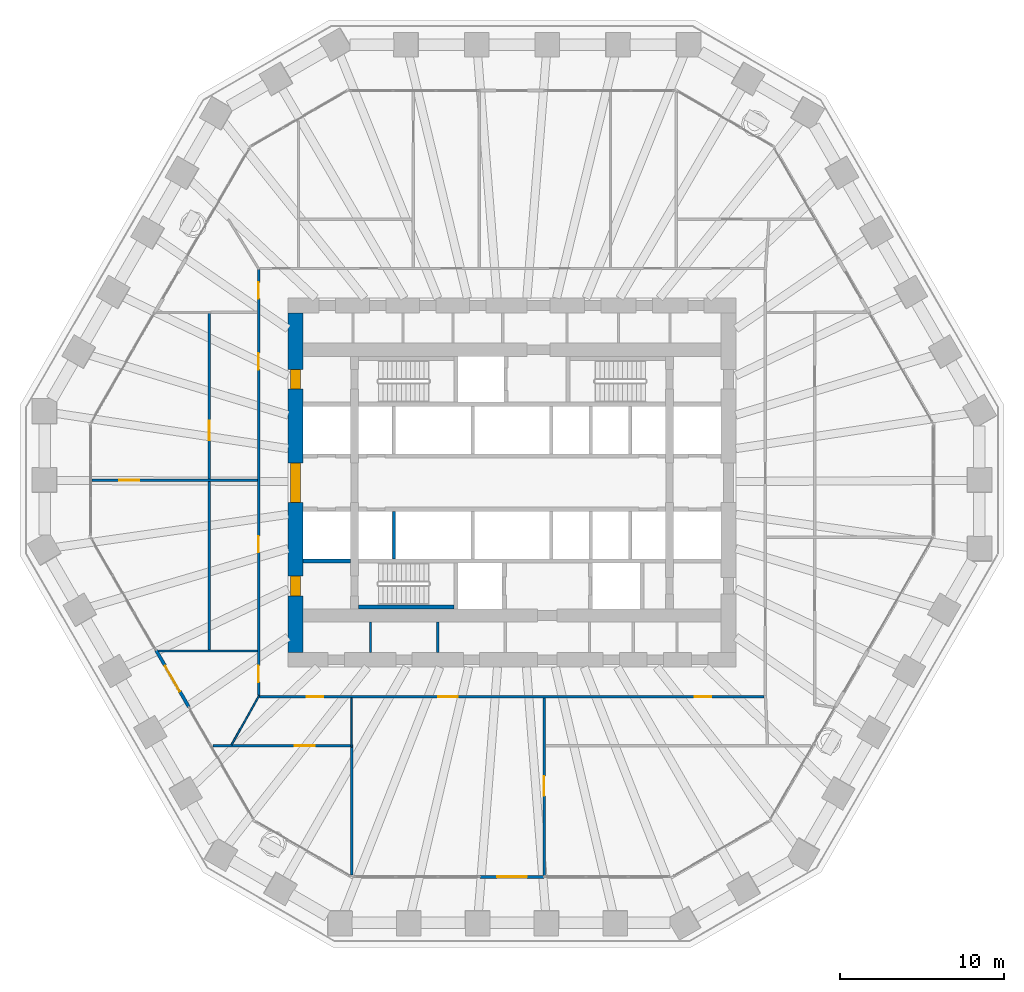
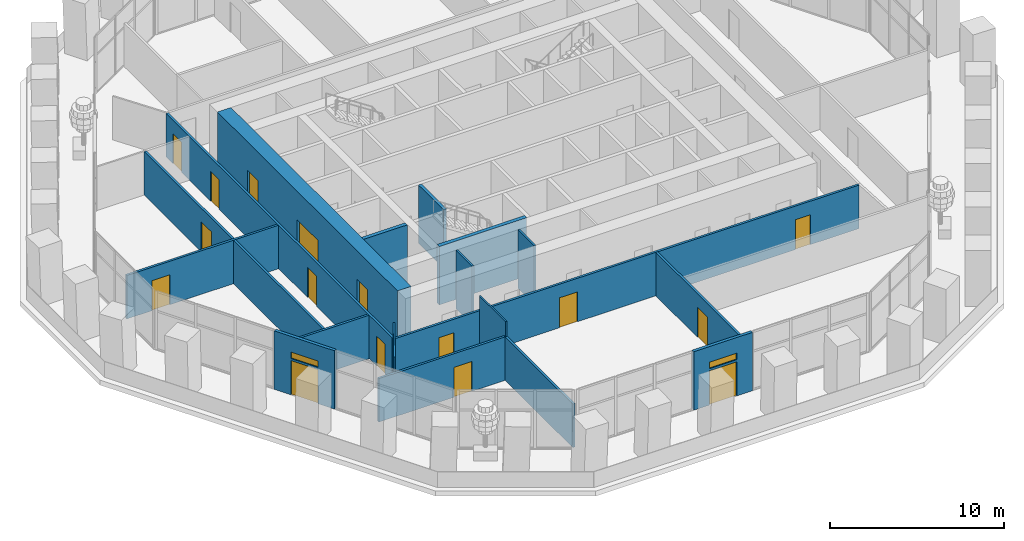
# One storey, part 11 of 18: 18 walls, 16 doors, 2 windows, 18 openings.
"""IFC4 building model written with IfcOpenShell, lengths in metres."""

from ifc_helpers import new_model, si_unit, direction, frame, frame_2d, origin, place, context, subcontext, project, spatial, rectangle, extrude, material, layer, layer_set, type_object, element, fill, save


model = new_model("IFC4")

# Units and contexts
model_context = context("Model", 3, precision=1e-05, world=origin(), true_north=direction((0.0, 1.0)))
body_context = subcontext(model_context, "Body", "Model", "MODEL_VIEW")
ifc_project = project(units=[si_unit("LENGTHUNIT", "METRE"), si_unit("AREAUNIT", "SQUARE_METRE"), si_unit("VOLUMEUNIT", "CUBIC_METRE"), si_unit("PLANEANGLEUNIT", "RADIAN"), si_unit("MASSUNIT", "GRAM", prefix="KILO")], contexts=[model_context])

# Site, building, storey
site_placement = place(None, origin())
site = spatial("IfcSite", under=ifc_project, at=site_placement, CompositionType="ELEMENT")
building_placement = place(site_placement, origin())
building = spatial("IfcBuilding", under=site, at=building_placement, Name="Frailejon Research Tower", CompositionType="ELEMENT")
storey_placement = place(building_placement, frame((0.0, 0.0, 19.0)))
storey = spatial("IfcBuildingStorey", under=building, at=storey_placement, Name="L04", CompositionType="ELEMENT", Elevation=19.0)

# Walls
ifc_material_1 = material(Name="Plasterboard on steel studs", Category="steel")
ifc_layer_1 = layer(ifc_material_1, 0.125)
ifc_layer_set_1 = layer_set([ifc_layer_1], Name="Core partition 125")
wall_type_1 = type_object("IfcWallType", Name="Core partition 125", PredefinedType="PARTITIONING", material=ifc_layer_set_1)
for number, where, z_axis, x_axis, name in (
    (1, (-8.637451171875, -10.35009765625, 0.0), (0.0, 0.0, 1.0), (0.0, 1.0, 0.0), "Core partition"),
    (2, (-4.52490234375, -10.35009765625, 0.0), (0.0, 0.0, 1.0), (0.0, 1.0, 0.0), "Core partition"),
):
    element("IfcWall", number, at=place(storey_placement, frame(where, z_axis=z_axis, x_axis=x_axis)), inside=storey, type_object=wall_type_1, Name=name, PredefinedType="PARTITIONING", context=body_context, shape_type="SweptSolid", body=[
        extrude(rectangle(XDim=1.85009765625, YDim=0.125, at=frame_2d((0.925048828125, 0.0))), origin(), (0.0, 0.0, 1.0), 4.10009765625),
    ])

# Wall, openings, doors
ifc_material_2 = material(Name="Concrete C70/85", Category="concrete")
ifc_layer_2 = layer(ifc_material_2, 0.89990234375)
ifc_layer_set_2 = layer_set([ifc_layer_2], Name="Core shear wall 900 C70/85")
wall_type_2 = type_object("IfcWallType", Name="Core shear wall 900 C70/85", PredefinedType="SHEAR", material=ifc_layer_set_2)
wall_1_placement = place(storey_placement, frame((-13.199951171875, -10.35009765625, 0.0), z_axis=(0.0, 0.0, 1.0), x_axis=(0.0, 1.0, 0.0)))
wall_1 = element("IfcWall", 3, at=wall_1_placement, inside=storey, type_object=wall_type_2, Name="Core shear wall", PredefinedType="SHEAR", context=body_context, shape_type="SweptSolid", body=[
    extrude(rectangle(XDim=20.7001953125, YDim=0.89990234375, at=frame_2d((10.35009765625, 0.0))), origin(), (0.0, 0.0, 1.0), 4.10009765625),
])
opening_1_placement = place(wall_1_placement, frame((9.14990234375, 0.0, 0.0)))
opening_1 = element("IfcOpeningElement", 4, at=opening_1_placement, cuts=wall_1, Name="Opening D2", PredefinedType="OPENING", context=body_context, shape_type="SweptSolid", body=[
    extrude(rectangle(XDim=2.39990234375, YDim=2.10009765625, at=frame_2d((1.199951171875, 1.050048828125))), frame((0.0, 0.4599609375, 0.0), z_axis=(0.0, -1.0, 0.0), x_axis=(1.0, 0.0, 0.0)), (0.0, 0.0, 1.0), 0.919921875),
])
opening_2_placement = place(wall_1_placement, frame((16.050048828125, 0.0, 0.0)))
opening_2 = element("IfcOpeningElement", 5, at=opening_2_placement, cuts=wall_1, Name="Opening D7", PredefinedType="OPENING", context=body_context, shape_type="SweptSolid", body=[
    extrude(rectangle(XDim=1.199951171875, YDim=2.10009765625, at=frame_2d((0.60009765625, 1.050048828125))), frame((0.0, 0.4599609375, 0.0), z_axis=(0.0, -1.0, 0.0), x_axis=(1.0, 0.0, 0.0)), (0.0, 0.0, 1.0), 0.919921875),
])
opening_3_placement = place(wall_1_placement, frame((3.449951171875, 0.0, 0.0)))
opening_3 = element("IfcOpeningElement", 6, at=opening_3_placement, cuts=wall_1, Name="Opening D7", PredefinedType="OPENING", context=body_context, shape_type="SweptSolid", body=[
    extrude(rectangle(XDim=1.199951171875, YDim=2.10009765625, at=frame_2d((0.60009765625, 1.050048828125))), frame((0.0, 0.4599609375, 0.0), z_axis=(0.0, -1.0, 0.0), x_axis=(1.0, 0.0, 0.0)), (0.0, 0.0, 1.0), 0.919921875),
])
ifc_material_3 = material(Name="Steel", Category="steel")
door_type_1 = type_object("IfcDoorType", Name="Lobby double door", OperationType="DOUBLE_DOOR_SINGLE_SWING", PredefinedType="DOOR", material=ifc_material_3)
door_1_placement = place(opening_1_placement, origin())
door_1 = element("IfcDoor", 7, at=door_1_placement, inside=storey, type_object=door_type_1, Name="Lobby door", OperationType="DOUBLE_DOOR_SINGLE_SWING", OverallHeight=2.10009765625, OverallWidth=2.39990234375, PredefinedType="DOOR", context=body_context, shape_type="SweptSolid", body=[
    extrude(rectangle(XDim=2.39990234375, YDim=2.10009765625, at=frame_2d((1.199951171875, 1.050048828125))), frame((0.0, 0.300048828125, 0.0), z_axis=(0.0, -1.0, 0.0), x_axis=(1.0, 0.0, 0.0)), (0.0, 0.0, 1.0), 0.60009765625),
])
fill(opening_1, door_1)
ifc_material_4 = material(Name="Steel", Category="steel")
door_type_2 = type_object("IfcDoorType", Name="Stair exit door", OperationType="SINGLE_SWING_LEFT", PredefinedType="DOOR", material=ifc_material_4)
door_2_placement = place(opening_2_placement, origin())
door_2 = element("IfcDoor", 8, at=door_2_placement, inside=storey, type_object=door_type_2, Name="Stair exit door ST1", OperationType="SINGLE_SWING_LEFT", OverallHeight=2.10009765625, OverallWidth=1.199951171875, PredefinedType="DOOR", context=body_context, shape_type="SweptSolid", body=[
    extrude(rectangle(XDim=1.199951171875, YDim=2.10009765625, at=frame_2d((0.60009765625, 1.050048828125))), frame((0.0, 0.300048828125, 0.0), z_axis=(0.0, -1.0, 0.0), x_axis=(1.0, 0.0, 0.0)), (0.0, 0.0, 1.0), 0.60009765625),
])
fill(opening_2, door_2)
door_3_placement = place(opening_3_placement, origin())
door_3 = element("IfcDoor", 9, at=door_3_placement, inside=storey, type_object=door_type_2, Name="Stair exit door ST2", OperationType="SINGLE_SWING_LEFT", OverallHeight=2.10009765625, OverallWidth=1.199951171875, PredefinedType="DOOR", context=body_context, shape_type="SweptSolid", body=[
    extrude(rectangle(XDim=1.199951171875, YDim=2.10009765625, at=frame_2d((0.60009765625, 1.050048828125))), frame((0.0, 0.300048828125, 0.0), z_axis=(0.0, -1.0, 0.0), x_axis=(1.0, 0.0, 0.0)), (0.0, 0.0, 1.0), 0.60009765625),
])
fill(opening_3, door_3)

ifc_material_5 = material(Name="Gypsum board and masonry partition", Category="masonry")
ifc_layer_3 = layer(ifc_material_5, 0.14990234375)
ifc_layer_set_3 = layer_set([ifc_layer_3], Name="Corridor wall EI 60, gypsum on steel studs 150")
wall_type_3 = type_object("IfcWallType", Name="Corridor wall EI 60, gypsum on steel studs 150", PredefinedType="PARTITIONING", material=ifc_layer_set_3)
wall_2_placement = place(storey_placement, frame((-15.449951171875, -12.97509765625, 0.0), z_axis=(0.0, 0.0, 1.0), x_axis=(0.0, 1.0, 0.0)))
wall_2 = element("IfcWall", 10, at=wall_2_placement, inside=storey, type_object=wall_type_3, Name="T:IW:L04:003", PredefinedType="PARTITIONING", context=body_context, shape_type="SweptSolid", body=[
    extrude(rectangle(XDim=25.97509765625, YDim=0.14990234375, at=frame_2d((12.987548828125, 0.0))), origin(), (0.0, 0.0, 1.0), 3.050048828125),
])
opening_4_placement = place(wall_2_placement, frame((24.18798828125, 0.0, 0.0)))
opening_4 = element("IfcOpeningElement", 11, at=opening_4_placement, cuts=wall_2, Name="Opening D1254", PredefinedType="OPENING", context=body_context, shape_type="SweptSolid", body=[
    extrude(rectangle(XDim=1.0, YDim=2.10009765625, at=frame_2d((0.5, 1.050048828125))), frame((0.0, 0.0849609375, 0.0), z_axis=(0.0, -1.0, 0.0), x_axis=(1.0, 0.0, 0.0)), (0.0, 0.0, 1.0), 0.169921875),
])
opening_5_placement = place(wall_2_placement, frame((19.866455078125, 0.0, 0.0)))
opening_5 = element("IfcOpeningElement", 12, at=opening_5_placement, cuts=wall_2, Name="Opening D1255", PredefinedType="OPENING", context=body_context, shape_type="SweptSolid", body=[
    extrude(rectangle(XDim=1.0, YDim=2.10009765625, at=frame_2d((0.5, 1.050048828125))), frame((0.0, 0.0849609375, 0.0), z_axis=(0.0, -1.0, 0.0), x_axis=(1.0, 0.0, 0.0)), (0.0, 0.0, 1.0), 0.169921875),
])
opening_6_placement = place(wall_2_placement, frame((8.717041015625, 0.0, 0.0)))
opening_6 = element("IfcOpeningElement", 13, at=opening_6_placement, cuts=wall_2, Name="Opening D1258", PredefinedType="OPENING", context=body_context, shape_type="SweptSolid", body=[
    extrude(rectangle(XDim=1.0, YDim=2.10009765625, at=frame_2d((0.5, 1.050048828125))), frame((0.0, 0.0849609375, 0.0), z_axis=(0.0, -1.0, 0.0), x_axis=(1.0, 0.0, 0.0)), (0.0, 0.0, 1.0), 0.169921875),
])
opening_7_placement = place(wall_2_placement, frame((0.8173828125, 0.0, 0.0)))
opening_7 = element("IfcOpeningElement", 14, at=opening_7_placement, cuts=wall_2, Name="Opening D1259", PredefinedType="OPENING", context=body_context, shape_type="SweptSolid", body=[
    extrude(rectangle(XDim=1.0, YDim=2.10009765625, at=frame_2d((0.5, 1.050048828125))), frame((0.0, 0.0849609375, 0.0), z_axis=(0.0, -1.0, 0.0), x_axis=(1.0, 0.0, 0.0)), (0.0, 0.0, 1.0), 0.169921875),
])
ifc_material_6 = material(Name="Timber door leaf", Category="wood")
door_type_3 = type_object("IfcDoorType", Name="Door laboratory, timber, vision panel 1000", OperationType="NOTDEFINED", PredefinedType="DOOR", material=ifc_material_6)
door_4_placement = place(opening_5_placement, origin())
door_4 = element("IfcDoor", 15, at=door_4_placement, inside=storey, type_object=door_type_3, Name="D1255", OperationType="SINGLE_SWING_LEFT", OverallHeight=2.10009765625, OverallWidth=1.0, PredefinedType="DOOR", context=body_context, shape_type="SweptSolid", body=[
    extrude(rectangle(XDim=1.0, YDim=2.10009765625, at=frame_2d((0.5, 1.050048828125))), frame((0.0, 0.02490234375, 0.0), z_axis=(0.0, -1.0, 0.0), x_axis=(1.0, 0.0, 0.0)), (0.0, 0.0, 1.0), 0.050048828125),
])
fill(opening_5, door_4)
door_5_placement = place(opening_6_placement, origin())
door_5 = element("IfcDoor", 16, at=door_5_placement, inside=storey, type_object=door_type_3, Name="D1258", OperationType="SINGLE_SWING_RIGHT", OverallHeight=2.10009765625, OverallWidth=1.0, PredefinedType="DOOR", context=body_context, shape_type="SweptSolid", body=[
    extrude(rectangle(XDim=1.0, YDim=2.10009765625, at=frame_2d((0.5, 1.050048828125))), frame((0.0, 0.02490234375, 0.0), z_axis=(0.0, -1.0, 0.0), x_axis=(1.0, 0.0, 0.0)), (0.0, 0.0, 1.0), 0.050048828125),
])
fill(opening_6, door_5)
ifc_material_7 = material(Name="Timber door leaf", Category="wood")
door_type_4 = type_object("IfcDoorType", Name="Door single leaf, timber, steel frame 1000", OperationType="NOTDEFINED", PredefinedType="DOOR", material=ifc_material_7)
door_6_placement = place(opening_4_placement, origin())
door_6 = element("IfcDoor", 17, at=door_6_placement, inside=storey, type_object=door_type_4, Name="D1254", OperationType="SINGLE_SWING_LEFT", OverallHeight=2.10009765625, OverallWidth=1.0, PredefinedType="DOOR", context=body_context, shape_type="SweptSolid", body=[
    extrude(rectangle(XDim=1.0, YDim=2.10009765625, at=frame_2d((0.5, 1.050048828125))), frame((0.0, 0.02490234375, 0.0), z_axis=(0.0, -1.0, 0.0), x_axis=(1.0, 0.0, 0.0)), (0.0, 0.0, 1.0), 0.050048828125),
])
fill(opening_4, door_6)
door_7_placement = place(opening_7_placement, origin())
door_7 = element("IfcDoor", 18, at=door_7_placement, inside=storey, type_object=door_type_4, Name="D1259", OperationType="SINGLE_SWING_RIGHT", OverallHeight=2.10009765625, OverallWidth=1.0, PredefinedType="DOOR", context=body_context, shape_type="SweptSolid", body=[
    extrude(rectangle(XDim=1.0, YDim=2.10009765625, at=frame_2d((0.5, 1.050048828125))), frame((0.0, 0.02490234375, 0.0), z_axis=(0.0, -1.0, 0.0), x_axis=(1.0, 0.0, 0.0)), (0.0, 0.0, 1.0), 0.050048828125),
])
fill(opening_7, door_7)

wall_3_placement = place(storey_placement, frame((-15.39990234375, -13.050048828125, 0.0), z_axis=(0.0, 0.0, 1.0), x_axis=(1.0, 0.0, 0.0)))
wall_3 = element("IfcWall", 19, at=wall_3_placement, inside=storey, type_object=wall_type_3, Name="T:IW:L04:004", PredefinedType="PARTITIONING", context=body_context, shape_type="SweptSolid", body=[
    extrude(rectangle(XDim=30.77490234375, YDim=0.14990234375, at=frame_2d((15.387451171875, 0.0))), origin(), (0.0, 0.0, 1.0), 3.050048828125),
])
opening_8_placement = place(wall_3_placement, frame((2.8828125, 0.0, 0.0)))
opening_8 = element("IfcOpeningElement", 20, at=opening_8_placement, cuts=wall_3, Name="Opening D1260", PredefinedType="OPENING", context=body_context, shape_type="SweptSolid", body=[
    extrude(rectangle(XDim=1.0, YDim=2.10009765625, at=frame_2d((0.5, 1.050048828125))), frame((0.0, 0.0849609375, 0.0), z_axis=(0.0, -1.0, 0.0), x_axis=(1.0, 0.0, 0.0)), (0.0, 0.0, 1.0), 0.169921875),
])
opening_9_placement = place(wall_3_placement, frame((10.889404296875, 0.0, 0.0)))
opening_9 = element("IfcOpeningElement", 21, at=opening_9_placement, cuts=wall_3, Name="Opening D1262", PredefinedType="OPENING", context=body_context, shape_type="SweptSolid", body=[
    extrude(rectangle(XDim=1.199951171875, YDim=2.10009765625, at=frame_2d((0.60009765625, 1.050048828125))), frame((0.0, 0.0849609375, 0.0), z_axis=(0.0, -1.0, 0.0), x_axis=(1.0, 0.0, 0.0)), (0.0, 0.0, 1.0), 0.169921875),
])
opening_10_placement = place(wall_3_placement, frame((26.55126953125, 0.0, 0.0)))
opening_10 = element("IfcOpeningElement", 22, at=opening_10_placement, cuts=wall_3, Name="Opening D1264", PredefinedType="OPENING", context=body_context, shape_type="SweptSolid", body=[
    extrude(rectangle(XDim=1.0, YDim=2.10009765625, at=frame_2d((0.5, 1.050048828125))), frame((0.0, 0.0849609375, 0.0), z_axis=(0.0, -1.0, 0.0), x_axis=(1.0, 0.0, 0.0)), (0.0, 0.0, 1.0), 0.169921875),
])
door_8_placement = place(opening_10_placement, origin())
door_8 = element("IfcDoor", 23, at=door_8_placement, inside=storey, type_object=door_type_3, Name="D1264", OperationType="SINGLE_SWING_RIGHT", OverallHeight=2.10009765625, OverallWidth=1.0, PredefinedType="DOOR", context=body_context, shape_type="SweptSolid", body=[
    extrude(rectangle(XDim=1.0, YDim=2.10009765625, at=frame_2d((0.5, 1.050048828125))), frame((0.0, 0.02490234375, 0.0), z_axis=(0.0, -1.0, 0.0), x_axis=(1.0, 0.0, 0.0)), (0.0, 0.0, 1.0), 0.050048828125),
])
fill(opening_10, door_8)
door_9_placement = place(opening_8_placement, origin())
door_9 = element("IfcDoor", 24, at=door_9_placement, inside=storey, type_object=door_type_4, Name="D1260", OperationType="SINGLE_SWING_LEFT", OverallHeight=2.10009765625, OverallWidth=1.0, PredefinedType="DOOR", context=body_context, shape_type="SweptSolid", body=[
    extrude(rectangle(XDim=1.0, YDim=2.10009765625, at=frame_2d((0.5, 1.050048828125))), frame((0.0, 0.02490234375, 0.0), z_axis=(0.0, -1.0, 0.0), x_axis=(1.0, 0.0, 0.0)), (0.0, 0.0, 1.0), 0.050048828125),
])
fill(opening_8, door_9)
ifc_material_8 = material(Name="Timber door leaf", Category="wood")
door_type_5 = type_object("IfcDoorType", Name="Door single leaf, timber, steel frame 1200", OperationType="NOTDEFINED", PredefinedType="DOOR", material=ifc_material_8)
door_10_placement = place(opening_9_placement, origin())
door_10 = element("IfcDoor", 25, at=door_10_placement, inside=storey, type_object=door_type_5, Name="D1262", OperationType="DOUBLE_DOOR_SINGLE_SWING", OverallHeight=2.10009765625, OverallWidth=1.199951171875, PredefinedType="DOOR", context=body_context, shape_type="SweptSolid", body=[
    extrude(rectangle(XDim=1.199951171875, YDim=2.10009765625, at=frame_2d((0.60009765625, 1.050048828125))), frame((0.0, 0.02490234375, 0.0), z_axis=(0.0, -1.0, 0.0), x_axis=(1.0, 0.0, 0.0)), (0.0, 0.0, 1.0), 0.050048828125),
])
fill(opening_9, door_10)

# Wall, opening, door
ifc_material_9 = material(Name="Gypsum board and masonry partition", Category="masonry")
ifc_layer_4 = layer(ifc_material_9, 0.14990234375)
ifc_layer_set_4 = layer_set([ifc_layer_4], Name="Laboratory partition, blockwork 150")
wall_type_4 = type_object("IfcWallType", Name="Laboratory partition, blockwork 150", PredefinedType="PARTITIONING", material=ifc_layer_set_4)
wall_4_placement = place(storey_placement, frame((-18.449951171875, -10.190185546875, 0.0), z_axis=(0.0, 0.0, 1.0), x_axis=(0.0, 1.0, 0.0)))
wall_4 = element("IfcWall", 26, at=wall_4_placement, inside=storey, type_object=wall_type_4, Name="T:IW:L04:016", PredefinedType="PARTITIONING", context=body_context, shape_type="SweptSolid", body=[
    extrude(rectangle(XDim=20.515869140625, YDim=0.14990234375, at=frame_2d((10.2578125, 0.0))), origin(), (0.0, 0.0, 1.0), 3.050048828125),
])
opening_11_placement = place(wall_4_placement, frame((12.7626953125, 0.0, 0.0)))
opening_11 = element("IfcOpeningElement", 27, at=opening_11_placement, cuts=wall_4, Name="Opening D1256", PredefinedType="OPENING", context=body_context, shape_type="SweptSolid", body=[
    extrude(rectangle(XDim=1.199951171875, YDim=2.10009765625, at=frame_2d((0.60009765625, 1.050048828125))), frame((0.0, 0.0849609375, 0.0), z_axis=(0.0, -1.0, 0.0), x_axis=(1.0, 0.0, 0.0)), (0.0, 0.0, 1.0), 0.169921875),
])
door_11_placement = place(opening_11_placement, origin())
door_11 = element("IfcDoor", 28, at=door_11_placement, inside=storey, type_object=door_type_5, Name="D1256", OperationType="DOUBLE_DOOR_SINGLE_SWING", OverallHeight=2.10009765625, OverallWidth=1.199951171875, PredefinedType="DOOR", context=body_context, shape_type="SweptSolid", body=[
    extrude(rectangle(XDim=1.199951171875, YDim=2.10009765625, at=frame_2d((0.60009765625, 1.050048828125))), frame((0.0, 0.02490234375, 0.0), z_axis=(0.0, -1.0, 0.0), x_axis=(1.0, 0.0, 0.0)), (0.0, 0.0, 1.0), 0.050048828125),
])
fill(opening_11, door_11)

wall_5_placement = place(storey_placement, frame((-25.592529296875, 0.13818359375, 0.0), z_axis=(0.0, 0.0, 1.0), x_axis=(1.0, 0.0, 0.0)))
wall_5 = element("IfcWall", 29, at=wall_5_placement, inside=storey, type_object=wall_type_4, Name="T:IW:L04:017", PredefinedType="PARTITIONING", context=body_context, shape_type="SweptSolid", body=[
    extrude(rectangle(XDim=10.067626953125, YDim=0.14990234375, at=frame_2d((5.03369140625, 0.0))), origin(), (0.0, 0.0, 1.0), 3.050048828125),
])
opening_12_placement = place(wall_5_placement, frame((1.66064453125, 0.0, 0.0)))
opening_12 = element("IfcOpeningElement", 30, at=opening_12_placement, cuts=wall_5, Name="Opening D1257", PredefinedType="OPENING", context=body_context, shape_type="SweptSolid", body=[
    extrude(rectangle(XDim=1.199951171875, YDim=2.10009765625, at=frame_2d((0.60009765625, 1.050048828125))), frame((0.0, 0.0849609375, 0.0), z_axis=(0.0, -1.0, 0.0), x_axis=(1.0, 0.0, 0.0)), (0.0, 0.0, 1.0), 0.169921875),
])
ifc_material_10 = material(Name="Timber door leaf", Category="wood")
door_type_6 = type_object("IfcDoorType", Name="Door laboratory, timber, vision panel 1200", OperationType="NOTDEFINED", PredefinedType="DOOR", material=ifc_material_10)
door_12_placement = place(opening_12_placement, origin())
door_12 = element("IfcDoor", 31, at=door_12_placement, inside=storey, type_object=door_type_6, Name="D1257", OperationType="DOUBLE_DOOR_SINGLE_SWING", OverallHeight=2.10009765625, OverallWidth=1.199951171875, PredefinedType="DOOR", context=body_context, shape_type="SweptSolid", body=[
    extrude(rectangle(XDim=1.199951171875, YDim=2.10009765625, at=frame_2d((0.60009765625, 1.050048828125))), frame((0.0, 0.02490234375, 0.0), z_axis=(0.0, -1.0, 0.0), x_axis=(1.0, 0.0, 0.0)), (0.0, 0.0, 1.0), 0.050048828125),
])
fill(opening_12, door_12)

# Wall
wall_6_placement = place(storey_placement, frame((-21.555419921875, -10.26513671875, 0.0), z_axis=(0.0, 0.0, 1.0), x_axis=(1.0, 0.0, 0.0)))
element("IfcWall", 32, at=wall_6_placement, inside=storey, type_object=wall_type_4, Name="T:IW:L04:018", PredefinedType="PARTITIONING", context=body_context, shape_type="SweptSolid", body=[
    extrude(rectangle(XDim=6.030517578125, YDim=0.14990234375, at=frame_2d((3.01513671875, 0.0))), origin(), (0.0, 0.0, 1.0), 3.050048828125),
])

# Wall, opening, door
wall_7_placement = place(storey_placement, frame((-18.21533203125, -16.050048828125, 0.0), z_axis=(0.0, 0.0, 1.0), x_axis=(1.0, 0.0, 0.0)))
wall_7 = element("IfcWall", 33, at=wall_7_placement, inside=storey, type_object=wall_type_4, Name="T:IW:L04:019", PredefinedType="PARTITIONING", context=body_context, shape_type="SweptSolid", body=[
    extrude(rectangle(XDim=8.36376953125, YDim=0.14990234375, at=frame_2d((4.181884765625, 0.0))), origin(), (0.0, 0.0, 1.0), 3.050048828125),
])
opening_13_placement = place(wall_7_placement, frame((4.979248046875, 0.0, 0.0)))
opening_13 = element("IfcOpeningElement", 34, at=opening_13_placement, cuts=wall_7, Name="Opening D1261", PredefinedType="OPENING", context=body_context, shape_type="SweptSolid", body=[
    extrude(rectangle(XDim=1.199951171875, YDim=2.10009765625, at=frame_2d((0.60009765625, 1.050048828125))), frame((0.0, 0.0849609375, 0.0), z_axis=(0.0, -1.0, 0.0), x_axis=(1.0, 0.0, 0.0)), (0.0, 0.0, 1.0), 0.169921875),
])
door_13_placement = place(opening_13_placement, origin())
door_13 = element("IfcDoor", 35, at=door_13_placement, inside=storey, type_object=door_type_6, Name="D1261", OperationType="DOUBLE_DOOR_SINGLE_SWING", OverallHeight=2.10009765625, OverallWidth=1.199951171875, PredefinedType="DOOR", context=body_context, shape_type="SweptSolid", body=[
    extrude(rectangle(XDim=1.199951171875, YDim=2.10009765625, at=frame_2d((0.60009765625, 1.050048828125))), frame((0.0, 0.02490234375, 0.0), z_axis=(0.0, -1.0, 0.0), x_axis=(1.0, 0.0, 0.0)), (0.0, 0.0, 1.0), 0.050048828125),
])
fill(opening_13, door_13)

# Wall
wall_8_placement = place(storey_placement, frame((-9.776611328125, -23.9072265625, 0.0), z_axis=(0.0, 0.0, 1.0), x_axis=(0.0, 1.0, 0.0)))
element("IfcWall", 36, at=wall_8_placement, inside=storey, type_object=wall_type_4, Name="T:IW:L04:021", PredefinedType="PARTITIONING", context=body_context, shape_type="SweptSolid", body=[
    extrude(rectangle(XDim=7.93212890625, YDim=0.14990234375, at=frame_2d((3.966064453125, 0.0))), origin(), (0.0, 0.0, 1.0), 3.050048828125),
])

# Wall, opening, door
wall_9_placement = place(storey_placement, frame((1.955322265625, -23.938232421875, 0.0), z_axis=(0.0, 0.0, 1.0), x_axis=(0.0, 1.0, 0.0)))
wall_9 = element("IfcWall", 37, at=wall_9_placement, inside=storey, type_object=wall_type_4, Name="T:IW:L04:022", PredefinedType="PARTITIONING", context=body_context, shape_type="SweptSolid", body=[
    extrude(rectangle(XDim=10.813232421875, YDim=0.14990234375, at=frame_2d((5.40673828125, 0.0))), origin(), (0.0, 0.0, 1.0), 3.050048828125),
])
opening_14_placement = place(wall_9_placement, frame((4.84130859375, 0.0, 0.0)))
opening_14 = element("IfcOpeningElement", 38, at=opening_14_placement, cuts=wall_9, Name="Opening D1263", PredefinedType="OPENING", context=body_context, shape_type="SweptSolid", body=[
    extrude(rectangle(XDim=1.199951171875, YDim=2.10009765625, at=frame_2d((0.60009765625, 1.050048828125))), frame((0.0, 0.0849609375, 0.0), z_axis=(0.0, -1.0, 0.0), x_axis=(1.0, 0.0, 0.0)), (0.0, 0.0, 1.0), 0.169921875),
])
door_14_placement = place(opening_14_placement, origin())
door_14 = element("IfcDoor", 39, at=door_14_placement, inside=storey, type_object=door_type_6, Name="D1263", OperationType="DOUBLE_DOOR_SINGLE_SWING", OverallHeight=2.10009765625, OverallWidth=1.199951171875, PredefinedType="DOOR", context=body_context, shape_type="SweptSolid", body=[
    extrude(rectangle(XDim=1.199951171875, YDim=2.10009765625, at=frame_2d((0.60009765625, 1.050048828125))), frame((0.0, 0.02490234375, 0.0), z_axis=(0.0, -1.0, 0.0), x_axis=(1.0, 0.0, 0.0)), (0.0, 0.0, 1.0), 0.050048828125),
])
fill(opening_14, door_14)

# Walls
ifc_material_11 = material(Name="Gypsum board and masonry partition", Category="masonry")
ifc_layer_5 = layer(ifc_material_11, 0.10009765625)
ifc_layer_set_5 = layer_set([ifc_layer_5], Name="Partition, gypsum on steel studs 100")
wall_type_5 = type_object("IfcWallType", Name="Partition, gypsum on steel studs 100", PredefinedType="PARTITIONING", material=ifc_layer_set_5)
wall_10_placement = place(storey_placement, frame((-17.095703125, -15.984619140625, 0.0), z_axis=(0.0, 0.0, 1.0), x_axis=(0.489128503539, 0.87221173291, 0.0)))
element("IfcWall", 40, at=wall_10_placement, inside=storey, type_object=wall_type_5, Name="T:IW:L04:030", PredefinedType="PARTITIONING", context=body_context, shape_type="SweptSolid", body=[
    extrude(rectangle(XDim=3.439453125, YDim=0.10009765625, at=frame_2d((1.7197265625, 0.0))), origin(), (0.0, 0.0, 1.0), 4.10009765625),
])
wall_11_placement = place(storey_placement, frame((-9.776611328125, -16.125, 0.0), z_axis=(0.0, 0.0, 1.0), x_axis=(0.0, 1.0, 0.0)))
element("IfcWall", 41, at=wall_11_placement, inside=storey, type_object=wall_type_5, Name="T:IW:L04:031", PredefinedType="PARTITIONING", context=body_context, shape_type="SweptSolid", body=[
    extrude(rectangle(XDim=3.0, YDim=0.10009765625, at=frame_2d((1.5, 0.0))), origin(), (0.0, 0.0, 1.0), 4.10009765625),
])
ifc_material_12 = material(Name="Concrete C70/85", Category="concrete")
ifc_layer_6 = layer(ifc_material_12, 0.199951171875)
ifc_layer_set_6 = layer_set([ifc_layer_6], Name="Shaft wall 200 C70/85")
wall_type_6 = type_object("IfcWallType", Name="Shaft wall 200 C70/85", PredefinedType="SOLIDWALL", material=ifc_layer_set_6)
wall_12_placement = place(storey_placement, frame((-7.199951171875, -4.64990234375, 0.0), z_axis=(0.0, 0.0, 1.0), x_axis=(0.0, 1.0, 0.0)))
element("IfcWall", 42, at=wall_12_placement, inside=storey, type_object=wall_type_6, Name="Shaft wall", PredefinedType="SOLIDWALL", context=body_context, shape_type="SweptSolid", body=[
    extrude(rectangle(XDim=2.89990234375, YDim=0.199951171875, at=frame_2d((1.449951171875, 0.0))), origin(), (0.0, 0.0, 1.0), 4.10009765625),
])
ifc_material_13 = material(Name="Concrete C70/85", Category="concrete")
ifc_layer_7 = layer(ifc_material_13, 0.25)
ifc_layer_set_7 = layer_set([ifc_layer_7], Name="Shaft wall 250 C70/85")
wall_type_7 = type_object("IfcWallType", Name="Shaft wall 250 C70/85", PredefinedType="SOLIDWALL", material=ifc_layer_set_7)
wall_13_placement = place(storey_placement, frame((-12.75, -4.77490234375, 0.0), z_axis=(0.0, 0.0, 1.0), x_axis=(1.0, 0.0, 0.0)))
element("IfcWall", 43, at=wall_13_placement, inside=storey, type_object=wall_type_7, Name="Shaft wall", PredefinedType="SOLIDWALL", context=body_context, shape_type="SweptSolid", body=[
    extrude(rectangle(XDim=2.89990234375, YDim=0.25, at=frame_2d((1.449951171875, 0.0))), origin(), (0.0, 0.0, 1.0), 4.10009765625),
])
wall_14_placement = place(storey_placement, frame((-9.35009765625, -7.574951171875, 0.0), z_axis=(0.0, 0.0, 1.0), x_axis=(1.0, 0.0, 0.0)))
element("IfcWall", 44, at=wall_14_placement, inside=storey, type_object=wall_type_7, Name="Shaft wall", PredefinedType="SOLIDWALL", context=body_context, shape_type="SweptSolid", body=[
    extrude(rectangle(XDim=5.800048828125, YDim=0.25, at=frame_2d((2.89990234375, 0.0))), origin(), (0.0, 0.0, 1.0), 4.10009765625),
])

# Wall, openings, door, window
ifc_material_14 = material(Name="Concrete C40/50 precast window wall panel", Category="concrete")
ifc_layer_8 = layer(ifc_material_14, 0.199951171875)
ifc_layer_set_8 = layer_set([ifc_layer_8], Name="Window wall 200")
wall_type_8 = type_object("IfcWallType", Name="Window wall 200", PredefinedType="SOLIDWALL", material=ifc_layer_set_8)
wall_15_placement = place(storey_placement, frame((-21.697021484375, -10.2197265625, 0.0), z_axis=(0.0, 0.0, 1.0), x_axis=(0.499983378401, -0.866035000056, 0.0)))
wall_15 = element("IfcWall", 45, at=wall_15_placement, inside=storey, type_object=wall_type_8, Name="Door pier L04", PredefinedType="SOLIDWALL", context=body_context, shape_type="SweptSolid", body=[
    extrude(rectangle(XDim=3.995849609375, YDim=0.199951171875, at=frame_2d((1.998046875, 0.0))), origin(), (0.0, 0.0, 1.0), 4.10009765625),
])
opening_15_placement = place(wall_15_placement, frame((1.097900390625, 0.0, 0.0)))
opening_15 = element("IfcOpeningElement", 46, at=opening_15_placement, cuts=wall_15, Name="Opening LG04-4", PredefinedType="OPENING", context=body_context, shape_type="SweptSolid", body=[
    extrude(rectangle(XDim=1.800048828125, YDim=2.39990234375, at=frame_2d((0.89990234375, 1.199951171875))), frame((0.0, 0.10986328125, 0.0), z_axis=(0.0, -1.0, 0.0), x_axis=(1.0, 0.0, 0.0)), (0.0, 0.0, 1.0), 0.219970703125),
])
opening_16_placement = place(wall_15_placement, frame((1.097900390625, 0.0, 2.550048828125)))
opening_16 = element("IfcOpeningElement", 47, at=opening_16_placement, cuts=wall_15, Name="Opening W1", PredefinedType="OPENING", context=body_context, shape_type="SweptSolid", body=[
    extrude(rectangle(XDim=1.800048828125, YDim=0.449951171875, at=frame_2d((0.89990234375, 0.22509765625))), frame((0.0, 0.10986328125, 0.0), z_axis=(0.0, -1.0, 0.0), x_axis=(1.0, 0.0, 0.0)), (0.0, 0.0, 1.0), 0.219970703125),
])
ifc_material_15 = material(Name="Aluminium framed glazed door leaf", Category="aluminium")
door_type_7 = type_object("IfcDoorType", Name="Loggia door 1800x2400", OperationType="DOUBLE_DOOR_SINGLE_SWING", PredefinedType="DOOR", material=ifc_material_15)
door_15_placement = place(opening_15_placement, origin())
door_15 = element("IfcDoor", 48, at=door_15_placement, inside=storey, type_object=door_type_7, Name="Door LG04-4", OperationType="DOUBLE_DOOR_SINGLE_SWING", OverallHeight=2.39990234375, OverallWidth=1.800048828125, PredefinedType="DOOR", context=body_context, shape_type="SweptSolid", body=[
    extrude(rectangle(XDim=1.800048828125, YDim=2.39990234375, at=frame_2d((0.89990234375, 1.199951171875))), frame((0.0, 0.02490234375, 0.0), z_axis=(0.0, -1.0, 0.0), x_axis=(1.0, 0.0, 0.0)), (0.0, 0.0, 1.0), 0.050048828125),
])
fill(opening_15, door_15)
ifc_material_16 = material(Name="Aluminium framed double glazing", Category="aluminium")
window_type = type_object("IfcWindowType", Name="Window 1800x450", PartitioningType="SINGLE_PANEL", PredefinedType="WINDOW", material=ifc_material_16)
window_1_placement = place(opening_16_placement, origin())
window_1 = element("IfcWindow", 49, at=window_1_placement, inside=storey, type_object=window_type, Name="Window L04", OverallHeight=0.449951171875, OverallWidth=1.800048828125, PartitioningType="SINGLE_PANEL", PredefinedType="WINDOW", context=body_context, shape_type="SweptSolid", body=[
    extrude(rectangle(XDim=1.800048828125, YDim=0.449951171875, at=frame_2d((0.89990234375, 0.22509765625))), frame((0.0, 0.030029296875, 0.0), z_axis=(0.0, -1.0, 0.0), x_axis=(1.0, 0.0, 0.0)), (0.0, 0.0, 1.0), 0.06005859375),
])
fill(opening_16, window_1)

wall_16_placement = place(storey_placement, frame((-1.949951171875, -24.038330078125, 0.0), z_axis=(0.0, 0.0, 1.0), x_axis=(1.0, 0.0, 0.0)))
wall_16 = element("IfcWall", 50, at=wall_16_placement, inside=storey, type_object=wall_type_8, Name="Door pier L04", PredefinedType="SOLIDWALL", context=body_context, shape_type="SweptSolid", body=[
    extrude(rectangle(XDim=3.89990234375, YDim=0.199951171875, at=frame_2d((1.949951171875, 0.0))), origin(), (0.0, 0.0, 1.0), 4.10009765625),
])
opening_17_placement = place(wall_16_placement, frame((1.050048828125, 0.0, 0.0)))
opening_17 = element("IfcOpeningElement", 51, at=opening_17_placement, cuts=wall_16, Name="Opening LG04-5", PredefinedType="OPENING", context=body_context, shape_type="SweptSolid", body=[
    extrude(rectangle(XDim=1.800048828125, YDim=2.39990234375, at=frame_2d((0.89990234375, 1.199951171875))), frame((0.0, 0.10986328125, 0.0), z_axis=(0.0, -1.0, 0.0), x_axis=(1.0, 0.0, 0.0)), (0.0, 0.0, 1.0), 0.219970703125),
])
opening_18_placement = place(wall_16_placement, frame((1.050048828125, 0.0, 2.550048828125)))
opening_18 = element("IfcOpeningElement", 52, at=opening_18_placement, cuts=wall_16, Name="Opening W1", PredefinedType="OPENING", context=body_context, shape_type="SweptSolid", body=[
    extrude(rectangle(XDim=1.800048828125, YDim=0.449951171875, at=frame_2d((0.89990234375, 0.22509765625))), frame((0.0, 0.10986328125, 0.0), z_axis=(0.0, -1.0, 0.0), x_axis=(1.0, 0.0, 0.0)), (0.0, 0.0, 1.0), 0.219970703125),
])
door_16_placement = place(opening_17_placement, origin())
door_16 = element("IfcDoor", 53, at=door_16_placement, inside=storey, type_object=door_type_7, Name="Door LG04-5", OperationType="DOUBLE_DOOR_SINGLE_SWING", OverallHeight=2.39990234375, OverallWidth=1.800048828125, PredefinedType="DOOR", context=body_context, shape_type="SweptSolid", body=[
    extrude(rectangle(XDim=1.800048828125, YDim=2.39990234375, at=frame_2d((0.89990234375, 1.199951171875))), frame((0.0, 0.02490234375, 0.0), z_axis=(0.0, -1.0, 0.0), x_axis=(1.0, 0.0, 0.0)), (0.0, 0.0, 1.0), 0.050048828125),
])
fill(opening_17, door_16)
window_2_placement = place(opening_18_placement, origin())
window_2 = element("IfcWindow", 54, at=window_2_placement, inside=storey, type_object=window_type, Name="Window L04", OverallHeight=0.449951171875, OverallWidth=1.800048828125, PartitioningType="SINGLE_PANEL", PredefinedType="WINDOW", context=body_context, shape_type="SweptSolid", body=[
    extrude(rectangle(XDim=1.800048828125, YDim=0.449951171875, at=frame_2d((0.89990234375, 0.22509765625))), frame((0.0, 0.030029296875, 0.0), z_axis=(0.0, -1.0, 0.0), x_axis=(1.0, 0.0, 0.0)), (0.0, 0.0, 1.0), 0.06005859375),
])
fill(opening_18, window_2)

save(model, "model.ifc")
